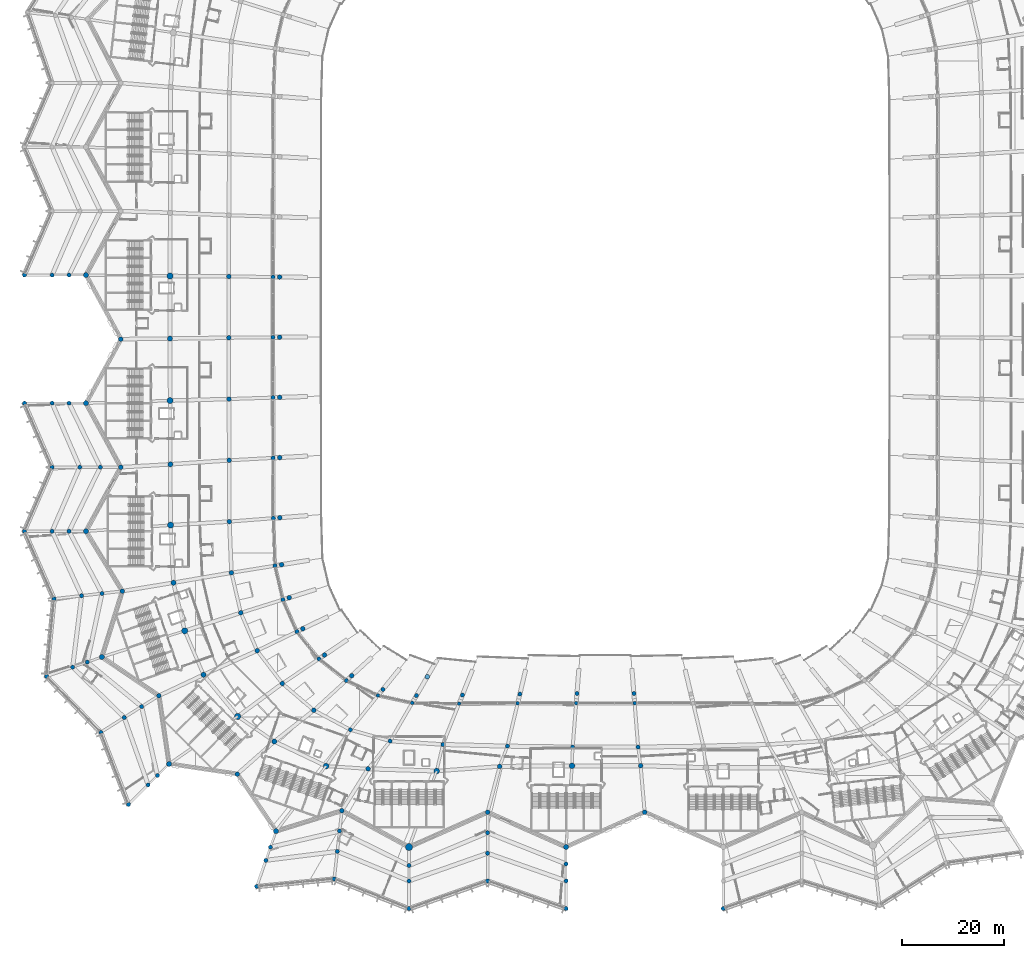
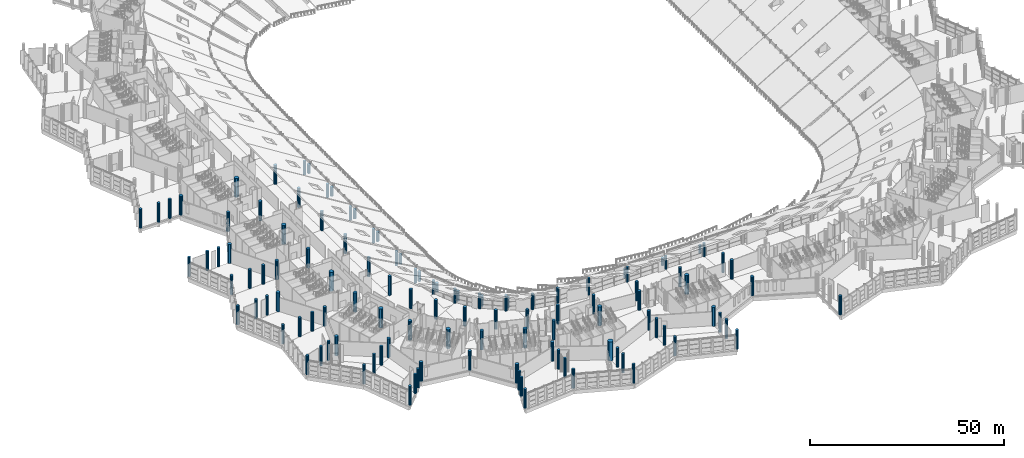
# One storey, part 1 of 249: 121 columns.
"""IFC4 building model written with IfcOpenShell, lengths in metres."""

from ifc_helpers import new_model, si_unit, direction, frame, origin, origin_2d, place, context, subcontext, project, spatial, circle, extrude, material, material_profile, profile_set, type_object, element, save


model = new_model("IFC4")

# Units and contexts
model_context = context("Model", 3, precision=1e-05, world=origin(), true_north=direction((0.0, 1.0)))
body_context = subcontext(model_context, "Body", "Model", "MODEL_VIEW")
ifc_project = project(units=[si_unit("LENGTHUNIT", "METRE"), si_unit("AREAUNIT", "SQUARE_METRE"), si_unit("VOLUMEUNIT", "CUBIC_METRE"), si_unit("PLANEANGLEUNIT", "RADIAN"), si_unit("MASSUNIT", "GRAM", prefix="KILO")], contexts=[model_context])

# Site, building, storey
site_placement = place(None, origin())
site = spatial("IfcSite", under=ifc_project, at=site_placement, CompositionType="ELEMENT")
building_placement = place(site_placement, origin())
building = spatial("IfcBuilding", under=site, at=building_placement, Name="Meseta Stadium", CompositionType="ELEMENT")
storey_placement = place(building_placement, frame((0.0, 0.0, 12.0)))
storey = spatial("IfcBuildingStorey", under=building, at=storey_placement, Name="L02", CompositionType="ELEMENT", Elevation=12.0)

# Columns
ifc_material_1 = material(Name="Concrete C40/50", Category="concrete")
ifc_material_profile_1 = material_profile(ifc_material_1, circle(Radius=0.5, at=origin_2d()), Name="RC D1000")
ifc_profile_set_1 = profile_set([ifc_material_profile_1], Name="Concrete C40/50")
column_type_1 = type_object("IfcColumnType", Name="RC column D1000", PredefinedType="COLUMN", material=ifc_profile_set_1)
for number, where, z_axis, x_axis, name in (
    (1, (-101.39990234375, 6.25, 0.0), (0.0, 0.0, 1.0), (1.0, 0.0, 0.0), "Column C10 L02 frame 32 line R"),
    (2, (-84.9970703125, -6.13720703125, 0.0), (0.0, 0.0, 1.0), (1.0, 0.0, 0.0), "Column C10 L02 frame 33 line P"),
    (3, (-101.39990234375, -18.75, 0.0), (0.0, 0.0, 1.0), (1.0, 0.0, 0.0), "Column C10 L02 frame 34 line R"),
    (4, (-84.92529296875, -30.681640625, 0.0), (0.0, 0.0, 1.0), (1.0, 0.0, 0.0), "Column C10 L02 frame 35 line P"),
    (5, (-101.39990234375, -43.75, 0.0), (0.0, 0.0, 1.0), (1.0, 0.0, 0.0), "Column C10 L02 frame 36 line R"),
    (6, (-84.3251953125, -53.801513671875, 0.0), (0.0, 0.0, 1.0), (1.0, 0.0, 0.0), "Column C10 L02 frame 37 line P"),
    (7, (-98.291015625, -68.29736328125, 0.0), (0.0, 0.0, 1.0), (1.0, 0.0, 0.0), "Column C10 L02 frame 38 line R"),
    (8, (-78.4453125, -71.756103515625, 0.0), (0.0, 0.0, 1.0), (1.0, 0.0, 0.0), "Column C10 L02 frame 39 line P"),
    (9, (-85.173828125, -89.173828125, 0.0), (0.0, 0.0, 1.0), (1.0, 0.0, 0.0), "Column C10 L02 frame 40 line R"),
    (10, (-64.6220703125, -84.79248046875, 0.0), (0.0, 0.0, 1.0), (1.0, 0.0, 0.0), "Column C10 L02 frame 41 line P"),
    (11, (-64.29736328125, -102.291015625, 0.0), (0.0, 0.0, 1.0), (1.0, 0.0, 0.0), "Column C10 L02 frame 42 line R"),
    (12, (-7.666748046875, -105.39990234375, 0.0), (0.0, 0.0, 1.0), (1.0, 0.0, 0.0), "Column C10 L02 frame 46 line R"),
):
    element("IfcColumn", number, at=place(storey_placement, frame(where, z_axis=z_axis, x_axis=x_axis)), inside=storey, type_object=column_type_1, Name=name, PredefinedType="COLUMN", context=body_context, shape_type="SweptSolid", body=[
        extrude(circle(Radius=0.5, at=origin_2d()), origin(), (0.0, 0.0, 1.0), 6.0),
    ])
ifc_material_2 = material(Name="Concrete C40/50", Category="concrete")
ifc_material_profile_2 = material_profile(ifc_material_2, circle(Radius=0.550048828125, at=origin_2d()), Name="RC D1100")
ifc_profile_set_2 = profile_set([ifc_material_profile_2], Name="Concrete C40/50")
column_type_2 = type_object("IfcColumnType", Name="RC column D1100", PredefinedType="COLUMN", material=ifc_profile_set_2)
for number, where, z_axis, x_axis, name in (
    (13, (-54.523193359375, -89.579345703125, 0.0), (0.0, 0.0, 1.0), (1.0, 0.0, 0.0), "Column C11 L02 frame 42 line P"),
    (14, (-32.944091796875, -90.551025390625, 0.0), (0.0, 0.0, 1.0), (1.0, 0.0, 0.0), "Column C11 L02 frame 44 line P"),
    (15, (-6.51708984375, -89.54638671875, 0.0), (0.0, 0.0, 1.0), (1.0, 0.0, 0.0), "Column C11 L02 frame 46 line P"),
):
    element("IfcColumn", number, at=place(storey_placement, frame(where, z_axis=z_axis, x_axis=x_axis)), inside=storey, type_object=column_type_2, Name=name, PredefinedType="COLUMN", context=body_context, shape_type="SweptSolid", body=[
        extrude(circle(Radius=0.550048828125, at=origin_2d()), origin(), (0.0, 0.0, 1.0), 6.0),
    ])
ifc_material_3 = material(Name="Concrete C40/50", Category="concrete")
ifc_material_profile_3 = material_profile(ifc_material_3, circle(Radius=0.60009765625, at=origin_2d()), Name="RC D1200")
ifc_profile_set_3 = profile_set([ifc_material_profile_3], Name="Concrete C40/50")
column_type_3 = type_object("IfcColumnType", Name="RC column D1200", PredefinedType="COLUMN", material=ifc_profile_set_3)
for number, where, z_axis, x_axis, name in (
    (16, (-84.99755859375, 6.081298828125, 0.0), (0.0, 0.0, 1.0), (1.0, 0.0, 0.0), "Column C12 L02 frame 32 line P"),
    (17, (-84.978515625, -18.24365234375, 0.0), (0.0, 0.0, 1.0), (1.0, 0.0, 0.0), "Column C12 L02 frame 34 line P"),
    (18, (-84.884033203125, -42.5615234375, 0.0), (0.0, 0.0, 1.0), (1.0, 0.0, 0.0), "Column C12 L02 frame 36 line P"),
    (19, (-82.119873046875, -63.191162109375, 0.0), (0.0, 0.0, 1.0), (1.0, 0.0, 0.0), "Column C12 L02 frame 38 line P"),
    (20, (-71.775390625, -79.888916015625, 0.0), (0.0, 0.0, 1.0), (1.0, 0.0, 0.0), "Column C12 L02 frame 40 line P"),
):
    element("IfcColumn", number, at=place(storey_placement, frame(where, z_axis=z_axis, x_axis=x_axis)), inside=storey, type_object=column_type_3, Name=name, PredefinedType="COLUMN", context=body_context, shape_type="SweptSolid", body=[
        extrude(circle(Radius=0.60009765625, at=origin_2d()), origin(), (0.0, 0.0, 1.0), 6.0),
    ])
ifc_material_4 = material(Name="Concrete C40/50", Category="concrete")
ifc_material_profile_4 = material_profile(ifc_material_4, circle(Radius=0.699951171875, at=origin_2d()), Name="RC D1400")
ifc_profile_set_4 = profile_set([ifc_material_profile_4], Name="Concrete C40/50")
column_type_4 = type_object("IfcColumnType", Name="RC column D1400", PredefinedType="COLUMN", material=ifc_profile_set_4)
column_1_placement = place(storey_placement, frame((-38.333251953125, -105.39990234375, 0.0), z_axis=(0.0, 0.0, 1.0), x_axis=(1.0, 0.0, 0.0)))
element("IfcColumn", 21, at=column_1_placement, inside=storey, type_object=column_type_4, Name="Column C14 L02 frame 44 line R", PredefinedType="COLUMN", context=body_context, shape_type="SweptSolid", body=[
    extrude(circle(Radius=0.699951171875, at=origin_2d()), origin(), (0.0, 0.0, 1.0), 6.0),
])
ifc_material_5 = material(Name="Concrete C40/50", Category="concrete")
ifc_material_profile_5 = material_profile(ifc_material_5, circle(Radius=0.35009765625, at=origin_2d()), Name="RC D700")
ifc_profile_set_5 = profile_set([ifc_material_profile_5], Name="Concrete C40/50")
column_type_5 = type_object("IfcColumnType", Name="RC column D700", PredefinedType="COLUMN", material=ifc_profile_set_5)
column_2_placement = place(storey_placement, frame((-44.39013671875, -75.806396484375, 0.0), z_axis=(0.0, 0.0, 1.0), x_axis=(1.0, 0.0, 0.0)))
element("IfcColumn", 22, at=column_2_placement, inside=storey, type_object=column_type_5, Name="Column C7 L02 frame 42 line D", PredefinedType="COLUMN", context=body_context, shape_type="SweptSolid", body=[
    extrude(circle(Radius=0.35009765625, at=origin_2d()), origin(), (0.0, 0.0, 1.0), 5.00537109375),
])
column_3_placement = place(storey_placement, frame((-37.711669921875, -77.26171875, 0.0), z_axis=(0.0, 0.0, 1.0), x_axis=(1.0, 0.0, 0.0)))
element("IfcColumn", 23, at=column_3_placement, inside=storey, type_object=column_type_5, Name="Column C7 L02 frame 43 line D", PredefinedType="COLUMN", context=body_context, shape_type="SweptSolid", body=[
    extrude(circle(Radius=0.35009765625, at=origin_2d()), origin(), (0.0, 0.0, 1.0), 5.414306640625),
])
column_4_placement = place(storey_placement, frame((-28.564697265625, -77.38330078125, 0.0), z_axis=(0.0, 0.0, 1.0), x_axis=(1.0, 0.0, 0.0)))
element("IfcColumn", 24, at=column_4_placement, inside=storey, type_object=column_type_5, Name="Column C7 L02 frame 44 line D", PredefinedType="COLUMN", context=body_context, shape_type="SweptSolid", body=[
    extrude(circle(Radius=0.35009765625, at=origin_2d()), origin(), (0.0, 0.0, 1.0), 5.293701171875),
])
column_5_placement = place(storey_placement, frame((-17.126708984375, -77.33203125, 0.0), z_axis=(0.0, 0.0, 1.0), x_axis=(1.0, 0.0, 0.0)))
element("IfcColumn", 25, at=column_5_placement, inside=storey, type_object=column_type_5, Name="Column C7 L02 frame 45 line D", PredefinedType="COLUMN", context=body_context, shape_type="SweptSolid", body=[
    extrude(circle(Radius=0.35009765625, at=origin_2d()), origin(), (0.0, 0.0, 1.0), 4.7626953125),
])
for number, where, z_axis, x_axis, name in (
    (26, (-5.70654296875, -77.3037109375, 0.0), (0.0, 0.0, 1.0), (1.0, 0.0, 0.0), "Column C7 L02 frame 46 line D"),
    (27, (5.70654296875, -77.3037109375, 0.0), (0.0, 0.0, 1.0), (1.0, 0.0, 0.0), "Column C7 L02 frame 47 line D"),
):
    element("IfcColumn", number, at=place(storey_placement, frame(where, z_axis=z_axis, x_axis=x_axis)), inside=storey, type_object=column_type_5, Name=name, PredefinedType="COLUMN", context=body_context, shape_type="SweptSolid", body=[
        extrude(circle(Radius=0.35009765625, at=origin_2d()), origin(), (0.0, 0.0, 1.0), 4.193603515625),
    ])
ifc_material_6 = material(Name="Concrete C40/50", Category="concrete")
ifc_material_profile_6 = material_profile(ifc_material_6, circle(Radius=0.39990234375, at=origin_2d()), Name="RC D800")
ifc_profile_set_6 = profile_set([ifc_material_profile_6], Name="Concrete C40/50")
column_type_6 = type_object("IfcColumnType", Name="RC column D800", PredefinedType="COLUMN", material=ifc_profile_set_6)
for number, where, z_axis, x_axis, name in (
    (28, (-64.898681640625, 5.886962890625, 0.0), (0.0, 0.0, 1.0), (1.0, 0.0, 0.0), "Column C8 L02 frame 32 line D"),
    (29, (-64.898681640625, -5.886962890625, 0.0), (0.0, 0.0, 1.0), (1.0, 0.0, 0.0), "Column C8 L02 frame 33 line D"),
):
    element("IfcColumn", number, at=place(storey_placement, frame(where, z_axis=z_axis, x_axis=x_axis)), inside=storey, type_object=column_type_6, Name=name, PredefinedType="COLUMN", context=body_context, shape_type="SweptSolid", body=[
        extrude(circle(Radius=0.39990234375, at=origin_2d()), origin(), (0.0, 0.0, 1.0), 4.24365234375),
    ])
column_6_placement = place(storey_placement, frame((-64.886962890625, -17.66064453125, 0.0), z_axis=(0.0, 0.0, 1.0), x_axis=(1.0, 0.0, 0.0)))
element("IfcColumn", 30, at=column_6_placement, inside=storey, type_object=column_type_6, Name="Column C8 L02 frame 34 line D", PredefinedType="COLUMN", context=body_context, shape_type="SweptSolid", body=[
    extrude(circle(Radius=0.39990234375, at=origin_2d()), origin(), (0.0, 0.0, 1.0), 4.32080078125),
])
column_7_placement = place(storey_placement, frame((-64.8642578125, -29.433349609375, 0.0), z_axis=(0.0, 0.0, 1.0), x_axis=(1.0, 0.0, 0.0)))
element("IfcColumn", 31, at=column_7_placement, inside=storey, type_object=column_type_6, Name="Column C8 L02 frame 35 line D", PredefinedType="COLUMN", context=body_context, shape_type="SweptSolid", body=[
    extrude(circle(Radius=0.39990234375, at=origin_2d()), origin(), (0.0, 0.0, 1.0), 4.397705078125),
])
column_8_placement = place(storey_placement, frame((-64.829833984375, -41.2041015625, 0.0), z_axis=(0.0, 0.0, 1.0), x_axis=(1.0, 0.0, 0.0)))
element("IfcColumn", 32, at=column_8_placement, inside=storey, type_object=column_type_6, Name="Column C8 L02 frame 36 line D", PredefinedType="COLUMN", context=body_context, shape_type="SweptSolid", body=[
    extrude(circle(Radius=0.39990234375, at=origin_2d()), origin(), (0.0, 0.0, 1.0), 4.474609375),
])
column_9_placement = place(storey_placement, frame((-64.501708984375, -50.479736328125, 0.0), z_axis=(0.0, 0.0, 1.0), x_axis=(1.0, 0.0, 0.0)))
element("IfcColumn", 33, at=column_9_placement, inside=storey, type_object=column_type_6, Name="Column C8 L02 frame 37 line D", PredefinedType="COLUMN", context=body_context, shape_type="SweptSolid", body=[
    extrude(circle(Radius=0.39990234375, at=origin_2d()), origin(), (0.0, 0.0, 1.0), 4.47900390625),
])
column_10_placement = place(storey_placement, frame((-62.963623046875, -57.1044921875, 0.0), z_axis=(0.0, 0.0, 1.0), x_axis=(1.0, 0.0, 0.0)))
element("IfcColumn", 34, at=column_10_placement, inside=storey, type_object=column_type_6, Name="Column C8 L02 frame 38 line D", PredefinedType="COLUMN", context=body_context, shape_type="SweptSolid", body=[
    extrude(circle(Radius=0.39990234375, at=origin_2d()), origin(), (0.0, 0.0, 1.0), 4.30517578125),
])
column_11_placement = place(storey_placement, frame((-60.22216796875, -63.33056640625, 0.0), z_axis=(0.0, 0.0, 1.0), x_axis=(1.0, 0.0, 0.0)))
element("IfcColumn", 35, at=column_11_placement, inside=storey, type_object=column_type_6, Name="Column C8 L02 frame 39 line D", PredefinedType="COLUMN", context=body_context, shape_type="SweptSolid", body=[
    extrude(circle(Radius=0.39990234375, at=origin_2d()), origin(), (0.0, 0.0, 1.0), 4.561279296875),
])
column_12_placement = place(storey_placement, frame((-55.940185546875, -68.657958984375, 0.0), z_axis=(0.0, 0.0, 1.0), x_axis=(1.0, 0.0, 0.0)))
element("IfcColumn", 36, at=column_12_placement, inside=storey, type_object=column_type_6, Name="Column C8 L02 frame 40 line D", PredefinedType="COLUMN", context=body_context, shape_type="SweptSolid", body=[
    extrude(circle(Radius=0.39990234375, at=origin_2d()), origin(), (0.0, 0.0, 1.0), 4.729248046875),
])
column_13_placement = place(storey_placement, frame((-50.571533203125, -72.888671875, 0.0), z_axis=(0.0, 0.0, 1.0), x_axis=(1.0, 0.0, 0.0)))
element("IfcColumn", 37, at=column_13_placement, inside=storey, type_object=column_type_6, Name="Column C8 L02 frame 41 line D", PredefinedType="COLUMN", context=body_context, shape_type="SweptSolid", body=[
    extrude(circle(Radius=0.39990234375, at=origin_2d()), origin(), (0.0, 0.0, 1.0), 4.888671875),
])
column_14_placement = place(storey_placement, frame((-43.430419921875, -74.617431640625, 0.0), z_axis=(0.0, 0.0, 1.0), x_axis=(1.0, 0.0, 0.0)))
element("IfcColumn", 38, at=column_14_placement, inside=storey, type_object=column_type_6, Name="Column C8 L02 frame 42 line C", PredefinedType="COLUMN", context=body_context, shape_type="SweptSolid", body=[
    extrude(circle(Radius=0.39990234375, at=origin_2d()), origin(), (0.0, 0.0, 1.0), 3.435791015625),
])
column_15_placement = place(storey_placement, frame((-49.791259765625, -82.498779296875, 0.0), z_axis=(0.0, 0.0, 1.0), x_axis=(1.0, 0.0, 0.0)))
element("IfcColumn", 39, at=column_15_placement, inside=storey, type_object=column_type_6, Name="Column C8 L02 frame 42 line E", PredefinedType="COLUMN", context=body_context, shape_type="SweptSolid", body=[
    extrude(circle(Radius=0.39990234375, at=origin_2d()), origin(), (0.0, 0.0, 1.0), 6.0),
])
column_16_placement = place(storey_placement, frame((-36.8857421875, -75.8330078125, 0.0), z_axis=(0.0, 0.0, 1.0), x_axis=(1.0, 0.0, 0.0)))
element("IfcColumn", 40, at=column_16_placement, inside=storey, type_object=column_type_6, Name="Column C8 L02 frame 43 line C", PredefinedType="COLUMN", context=body_context, shape_type="SweptSolid", body=[
    extrude(circle(Radius=0.39990234375, at=origin_2d()), origin(), (0.0, 0.0, 1.0), 3.76806640625),
])
column_17_placement = place(storey_placement, frame((-42.015625, -84.707275390625, 0.0), z_axis=(0.0, 0.0, 1.0), x_axis=(1.0, 0.0, 0.0)))
element("IfcColumn", 41, at=column_17_placement, inside=storey, type_object=column_type_6, Name="Column C8 L02 frame 43 line E", PredefinedType="COLUMN", context=body_context, shape_type="SweptSolid", body=[
    extrude(circle(Radius=0.39990234375, at=origin_2d()), origin(), (0.0, 0.0, 1.0), 6.0),
])
column_18_placement = place(storey_placement, frame((-27.910888671875, -75.735595703125, 0.0), z_axis=(0.0, 0.0, 1.0), x_axis=(1.0, 0.0, 0.0)))
element("IfcColumn", 42, at=column_18_placement, inside=storey, type_object=column_type_6, Name="Column C8 L02 frame 44 line C", PredefinedType="COLUMN", context=body_context, shape_type="SweptSolid", body=[
    extrude(circle(Radius=0.39990234375, at=origin_2d()), origin(), (0.0, 0.0, 1.0), 3.5712890625),
])
column_19_placement = place(storey_placement, frame((-31.73681640625, -85.376708984375, 0.0), z_axis=(0.0, 0.0, 1.0), x_axis=(1.0, 0.0, 0.0)))
element("IfcColumn", 43, at=column_19_placement, inside=storey, type_object=column_type_6, Name="Column C8 L02 frame 44 line E", PredefinedType="COLUMN", context=body_context, shape_type="SweptSolid", body=[
    extrude(circle(Radius=0.39990234375, at=origin_2d()), origin(), (0.0, 0.0, 1.0), 6.0),
])
column_20_placement = place(storey_placement, frame((-16.697509765625, -75.529541015625, 0.0), z_axis=(0.0, 0.0, 1.0), x_axis=(1.0, 0.0, 0.0)))
element("IfcColumn", 44, at=column_20_placement, inside=storey, type_object=column_type_6, Name="Column C8 L02 frame 45 line C", PredefinedType="COLUMN", context=body_context, shape_type="SweptSolid", body=[
    extrude(circle(Radius=0.39990234375, at=origin_2d()), origin(), (0.0, 0.0, 1.0), 2.990478515625),
])
column_21_placement = place(storey_placement, frame((-19.11865234375, -85.6982421875, 0.0), z_axis=(0.0, 0.0, 1.0), x_axis=(1.0, 0.0, 0.0)))
element("IfcColumn", 45, at=column_21_placement, inside=storey, type_object=column_type_6, Name="Column C8 L02 frame 45 line E", PredefinedType="COLUMN", context=body_context, shape_type="SweptSolid", body=[
    extrude(circle(Radius=0.39990234375, at=origin_2d()), origin(), (0.0, 0.0, 1.0), 6.0),
])
column_22_placement = place(storey_placement, frame((-5.556640625, -75.4150390625, 0.0), z_axis=(0.0, 0.0, 1.0), x_axis=(1.0, 0.0, 0.0)))
element("IfcColumn", 46, at=column_22_placement, inside=storey, type_object=column_type_6, Name="Column C8 L02 frame 46 line C", PredefinedType="COLUMN", context=body_context, shape_type="SweptSolid", body=[
    extrude(circle(Radius=0.39990234375, at=origin_2d()), origin(), (0.0, 0.0, 1.0), 2.395751953125),
])
column_23_placement = place(storey_placement, frame((-6.386962890625, -85.876708984375, 0.0), z_axis=(0.0, 0.0, 1.0), x_axis=(1.0, 0.0, 0.0)))
element("IfcColumn", 47, at=column_23_placement, inside=storey, type_object=column_type_6, Name="Column C8 L02 frame 46 line E", PredefinedType="COLUMN", context=body_context, shape_type="SweptSolid", body=[
    extrude(circle(Radius=0.39990234375, at=origin_2d()), origin(), (0.0, 0.0, 1.0), 6.0),
])
column_24_placement = place(storey_placement, frame((5.556640625, -75.4150390625, 0.0), z_axis=(0.0, 0.0, 1.0), x_axis=(1.0, 0.0, 0.0)))
element("IfcColumn", 48, at=column_24_placement, inside=storey, type_object=column_type_6, Name="Column C8 L02 frame 47 line C", PredefinedType="COLUMN", context=body_context, shape_type="SweptSolid", body=[
    extrude(circle(Radius=0.39990234375, at=origin_2d()), origin(), (0.0, 0.0, 1.0), 2.395751953125),
])
for number, where, z_axis, x_axis, name in (
    (49, (6.386962890625, -85.876708984375, 0.0), (0.0, 0.0, 1.0), (1.0, 0.0, 0.0), "Column C8 L02 frame 47 line E"),
    (50, (-104.699951171875, 6.25, 0.0), (0.0, 0.0, 1.0), (1.0, 0.0, 0.0), "Ring column C8 L02 frame 32 line M"),
    (51, (-108.0, 6.25, 0.0), (0.0, 0.0, 1.0), (1.0, 0.0, 0.0), "Ring column C8 L02 frame 32 line Q"),
    (52, (-113.39990234375, 6.25, 0.0), (0.0, 0.0, 1.0), (1.0, 0.0, 0.0), "Ring column C8 L02 frame 32 line O"),
    (53, (-104.699951171875, -18.75, 0.0), (0.0, 0.0, 1.0), (1.0, 0.0, 0.0), "Ring column C8 L02 frame 34 line M"),
    (54, (-108.0, -18.75, 0.0), (0.0, 0.0, 1.0), (1.0, 0.0, 0.0), "Ring column C8 L02 frame 34 line Q"),
    (55, (-113.39990234375, -18.75, 0.0), (0.0, 0.0, 1.0), (1.0, 0.0, 0.0), "Ring column C8 L02 frame 34 line O"),
    (56, (-98.60009765625, -31.25, 0.0), (0.0, 0.0, 1.0), (1.0, 0.0, 0.0), "Ring column C8 L02 frame 35 line M"),
    (57, (-102.60009765625, -31.25, 0.0), (0.0, 0.0, 1.0), (1.0, 0.0, 0.0), "Ring column C8 L02 frame 35 line Q"),
    (58, (-108.0, -31.25, 0.0), (0.0, 0.0, 1.0), (1.0, 0.0, 0.0), "Ring column C8 L02 frame 35 line O"),
    (59, (-104.699951171875, -43.75, 0.0), (0.0, 0.0, 1.0), (1.0, 0.0, 0.0), "Ring column C8 L02 frame 36 line M"),
    (60, (-108.0, -43.75, 0.0), (0.0, 0.0, 1.0), (1.0, 0.0, 0.0), "Ring column C8 L02 frame 36 line Q"),
    (61, (-113.39990234375, -43.75, 0.0), (0.0, 0.0, 1.0), (1.0, 0.0, 0.0), "Ring column C8 L02 frame 36 line O"),
    (62, (-98.269287109375, -55.889404296875, 0.0), (0.0, 0.0, 1.0), (1.0, 0.0, 0.0), "Ring column C8 L02 frame 37 line M"),
    (63, (-102.244140625, -56.337158203125, 0.0), (0.0, 0.0, 1.0), (1.0, 0.0, 0.0), "Ring column C8 L02 frame 37 line Q"),
    (64, (-107.610107421875, -56.94189453125, 0.0), (0.0, 0.0, 1.0), (1.0, 0.0, 0.0), "Ring column C8 L02 frame 37 line O"),
    (65, (-101.140380859375, -69.29443359375, 0.0), (0.0, 0.0, 1.0), (1.0, 0.0, 0.0), "Ring column C8 L02 frame 38 line M"),
    (66, (-103.989990234375, -70.29150390625, 0.0), (0.0, 0.0, 1.0), (1.0, 0.0, 0.0), "Ring column C8 L02 frame 38 line Q"),
    (67, (-109.0869140625, -72.0751953125, 0.0), (0.0, 0.0, 1.0), (1.0, 0.0, 0.0), "Ring column C8 L02 frame 38 line O"),
    (68, (-90.53759765625, -77.98486328125, 0.0), (0.0, 0.0, 1.0), (1.0, 0.0, 0.0), "Ring column C8 L02 frame 39 line M"),
    (69, (-93.924560546875, -80.113037109375, 0.0), (0.0, 0.0, 1.0), (1.0, 0.0, 0.0), "Ring column C8 L02 frame 39 line Q"),
    (70, (-98.496826171875, -82.986083984375, 0.0), (0.0, 0.0, 1.0), (1.0, 0.0, 0.0), "Ring column C8 L02 frame 39 line O"),
    (71, (-87.426513671875, -91.426513671875, 0.0), (0.0, 0.0, 1.0), (1.0, 0.0, 0.0), "Ring column C8 L02 frame 40 line M"),
    (72, (-89.2548828125, -93.2548828125, 0.0), (0.0, 0.0, 1.0), (1.0, 0.0, 0.0), "Ring column C8 L02 frame 40 line Q"),
    (73, (-93.0732421875, -97.0732421875, 0.0), (0.0, 0.0, 1.0), (1.0, 0.0, 0.0), "Ring column C8 L02 frame 40 line O"),
    (74, (-65.3935546875, -105.423583984375, 0.0), (0.0, 0.0, 1.0), (1.0, 0.0, 0.0), "Ring column C8 L02 frame 42 line M"),
    (75, (-66.29150390625, -107.989990234375, 0.0), (0.0, 0.0, 1.0), (1.0, 0.0, 0.0), "Ring column C8 L02 frame 42 line Q"),
    (76, (-68.0751953125, -113.0869140625, 0.0), (0.0, 0.0, 1.0), (1.0, 0.0, 0.0), "Ring column C8 L02 frame 42 line O"),
    (77, (-51.889404296875, -102.269287109375, 0.0), (0.0, 0.0, 1.0), (1.0, 0.0, 0.0), "Ring column C8 L02 frame 43 line M"),
    (78, (-52.337158203125, -106.244140625, 0.0), (0.0, 0.0, 1.0), (1.0, 0.0, 0.0), "Ring column C8 L02 frame 43 line Q"),
    (79, (-52.94189453125, -111.610107421875, 0.0), (0.0, 0.0, 1.0), (1.0, 0.0, 0.0), "Ring column C8 L02 frame 43 line O"),
    (80, (-38.333251953125, -109.0, 0.0), (0.0, 0.0, 1.0), (1.0, 0.0, 0.0), "Ring column C8 L02 frame 44 line M"),
    (81, (-38.333251953125, -112.0, 0.0), (0.0, 0.0, 1.0), (1.0, 0.0, 0.0), "Ring column C8 L02 frame 44 line Q"),
    (82, (-38.333251953125, -117.39990234375, 0.0), (0.0, 0.0, 1.0), (1.0, 0.0, 0.0), "Ring column C8 L02 frame 44 line O"),
    (83, (-23.0, -102.60009765625, 0.0), (0.0, 0.0, 1.0), (1.0, 0.0, 0.0), "Ring column C8 L02 frame 45 line M"),
    (84, (-23.0, -106.60009765625, 0.0), (0.0, 0.0, 1.0), (1.0, 0.0, 0.0), "Ring column C8 L02 frame 45 line Q"),
    (85, (-23.0, -112.0, 0.0), (0.0, 0.0, 1.0), (1.0, 0.0, 0.0), "Ring column C8 L02 frame 45 line O"),
    (86, (-7.666748046875, -108.699951171875, 0.0), (0.0, 0.0, 1.0), (1.0, 0.0, 0.0), "Ring column C8 L02 frame 46 line M"),
    (87, (-7.666748046875, -112.0, 0.0), (0.0, 0.0, 1.0), (1.0, 0.0, 0.0), "Ring column C8 L02 frame 46 line Q"),
    (88, (-7.666748046875, -117.39990234375, 0.0), (0.0, 0.0, 1.0), (1.0, 0.0, 0.0), "Ring column C8 L02 frame 46 line O"),
    (89, (23.0, -117.39990234375, 0.0), (0.0, 0.0, 1.0), (1.0, 0.0, 0.0), "Ring column C8 L02 frame 48 line O"),
):
    element("IfcColumn", number, at=place(storey_placement, frame(where, z_axis=z_axis, x_axis=x_axis)), inside=storey, type_object=column_type_6, Name=name, PredefinedType="COLUMN", context=body_context, shape_type="SweptSolid", body=[
        extrude(circle(Radius=0.39990234375, at=origin_2d()), origin(), (0.0, 0.0, 1.0), 6.0),
    ])
ifc_material_7 = material(Name="Concrete C40/50", Category="concrete")
ifc_material_profile_7 = material_profile(ifc_material_7, circle(Radius=0.449951171875, at=origin_2d()), Name="RC D900")
ifc_profile_set_7 = profile_set([ifc_material_profile_7], Name="Concrete C40/50")
column_type_7 = type_object("IfcColumnType", Name="RC column D900", PredefinedType="COLUMN", material=ifc_profile_set_7)
column_25_placement = place(storey_placement, frame((-63.5986328125, 5.872802734375, 0.0), z_axis=(0.0, 0.0, 1.0), x_axis=(1.0, 0.0, 0.0)))
element("IfcColumn", 90, at=column_25_placement, inside=storey, type_object=column_type_7, Name="Column C9 L02 frame 32 line C", PredefinedType="COLUMN", context=body_context, shape_type="SweptSolid", body=[
    extrude(circle(Radius=0.449951171875, at=origin_2d()), origin(), (0.0, 0.0, 1.0), 2.81396484375),
])
column_26_placement = place(storey_placement, frame((-73.498046875, 5.9814453125, 0.0), z_axis=(0.0, 0.0, 1.0), x_axis=(1.0, 0.0, 0.0)))
element("IfcColumn", 91, at=column_26_placement, inside=storey, type_object=column_type_7, Name="Column C9 L02 frame 32 line E", PredefinedType="COLUMN", context=body_context, shape_type="SweptSolid", body=[
    extrude(circle(Radius=0.449951171875, at=origin_2d()), origin(), (0.0, 0.0, 1.0), 6.0),
])
column_27_placement = place(storey_placement, frame((-63.5986328125, -5.872802734375, 0.0), z_axis=(0.0, 0.0, 1.0), x_axis=(1.0, 0.0, 0.0)))
element("IfcColumn", 92, at=column_27_placement, inside=storey, type_object=column_type_7, Name="Column C9 L02 frame 33 line C", PredefinedType="COLUMN", context=body_context, shape_type="SweptSolid", body=[
    extrude(circle(Radius=0.449951171875, at=origin_2d()), origin(), (0.0, 0.0, 1.0), 2.81396484375),
])
for number, where, z_axis, x_axis, name in (
    (93, (-73.498046875, -5.9814453125, 0.0), (0.0, 0.0, 1.0), (1.0, 0.0, 0.0), "Column C9 L02 frame 33 line E"),
    (94, (-94.60009765625, -6.25, 0.0), (0.0, 0.0, 1.0), (1.0, 0.0, 0.0), "Column C9 L02 frame 33 line R"),
):
    element("IfcColumn", number, at=place(storey_placement, frame(where, z_axis=z_axis, x_axis=x_axis)), inside=storey, type_object=column_type_7, Name=name, PredefinedType="COLUMN", context=body_context, shape_type="SweptSolid", body=[
        extrude(circle(Radius=0.449951171875, at=origin_2d()), origin(), (0.0, 0.0, 1.0), 6.0),
    ])
column_28_placement = place(storey_placement, frame((-63.587890625, -17.617919921875, 0.0), z_axis=(0.0, 0.0, 1.0), x_axis=(1.0, 0.0, 0.0)))
element("IfcColumn", 95, at=column_28_placement, inside=storey, type_object=column_type_7, Name="Column C9 L02 frame 34 line C", PredefinedType="COLUMN", context=body_context, shape_type="SweptSolid", body=[
    extrude(circle(Radius=0.449951171875, at=origin_2d()), origin(), (0.0, 0.0, 1.0), 2.89111328125),
])
column_29_placement = place(storey_placement, frame((-73.482421875, -17.943603515625, 0.0), z_axis=(0.0, 0.0, 1.0), x_axis=(1.0, 0.0, 0.0)))
element("IfcColumn", 96, at=column_29_placement, inside=storey, type_object=column_type_7, Name="Column C9 L02 frame 34 line E", PredefinedType="COLUMN", context=body_context, shape_type="SweptSolid", body=[
    extrude(circle(Radius=0.449951171875, at=origin_2d()), origin(), (0.0, 0.0, 1.0), 6.0),
])
column_30_placement = place(storey_placement, frame((-63.566162109375, -29.362060546875, 0.0), z_axis=(0.0, 0.0, 1.0), x_axis=(1.0, 0.0, 0.0)))
element("IfcColumn", 97, at=column_30_placement, inside=storey, type_object=column_type_7, Name="Column C9 L02 frame 35 line C", PredefinedType="COLUMN", context=body_context, shape_type="SweptSolid", body=[
    extrude(circle(Radius=0.449951171875, at=origin_2d()), origin(), (0.0, 0.0, 1.0), 2.968017578125),
])
for number, where, z_axis, x_axis, name in (
    (98, (-73.451171875, -29.904052734375, 0.0), (0.0, 0.0, 1.0), (1.0, 0.0, 0.0), "Column C9 L02 frame 35 line E"),
    (99, (-94.60009765625, -31.25, 0.0), (0.0, 0.0, 1.0), (1.0, 0.0, 0.0), "Column C9 L02 frame 35 line R"),
):
    element("IfcColumn", number, at=place(storey_placement, frame(where, z_axis=z_axis, x_axis=x_axis)), inside=storey, type_object=column_type_7, Name=name, PredefinedType="COLUMN", context=body_context, shape_type="SweptSolid", body=[
        extrude(circle(Radius=0.449951171875, at=origin_2d()), origin(), (0.0, 0.0, 1.0), 6.0),
    ])
column_31_placement = place(storey_placement, frame((-63.53369140625, -41.1044921875, 0.0), z_axis=(0.0, 0.0, 1.0), x_axis=(1.0, 0.0, 0.0)))
element("IfcColumn", 100, at=column_31_placement, inside=storey, type_object=column_type_7, Name="Column C9 L02 frame 36 line C", PredefinedType="COLUMN", context=body_context, shape_type="SweptSolid", body=[
    extrude(circle(Radius=0.449951171875, at=origin_2d()), origin(), (0.0, 0.0, 1.0), 3.044677734375),
])
column_32_placement = place(storey_placement, frame((-73.40478515625, -41.8623046875, 0.0), z_axis=(0.0, 0.0, 1.0), x_axis=(1.0, 0.0, 0.0)))
element("IfcColumn", 101, at=column_32_placement, inside=storey, type_object=column_type_7, Name="Column C9 L02 frame 36 line E", PredefinedType="COLUMN", context=body_context, shape_type="SweptSolid", body=[
    extrude(circle(Radius=0.449951171875, at=origin_2d()), origin(), (0.0, 0.0, 1.0), 6.0),
])
column_33_placement = place(storey_placement, frame((-63.21826171875, -50.27294921875, 0.0), z_axis=(0.0, 0.0, 1.0), x_axis=(1.0, 0.0, 0.0)))
element("IfcColumn", 102, at=column_33_placement, inside=storey, type_object=column_type_7, Name="Column C9 L02 frame 37 line C", PredefinedType="COLUMN", context=body_context, shape_type="SweptSolid", body=[
    extrude(circle(Radius=0.449951171875, at=origin_2d()), origin(), (0.0, 0.0, 1.0), 3.0498046875),
])
for number, where, z_axis, x_axis, name in (
    (103, (-72.9921875, -51.84716796875, 0.0), (0.0, 0.0, 1.0), (1.0, 0.0, 0.0), "Column C9 L02 frame 37 line E"),
    (104, (-94.29443359375, -55.44140625, 0.0), (0.0, 0.0, 1.0), (1.0, 0.0, 0.0), "Column C9 L02 frame 37 line R"),
):
    element("IfcColumn", number, at=place(storey_placement, frame(where, z_axis=z_axis, x_axis=x_axis)), inside=storey, type_object=column_type_7, Name=name, PredefinedType="COLUMN", context=body_context, shape_type="SweptSolid", body=[
        extrude(circle(Radius=0.449951171875, at=origin_2d()), origin(), (0.0, 0.0, 1.0), 6.0),
    ])
column_34_placement = place(storey_placement, frame((-61.72314453125, -56.715576171875, 0.0), z_axis=(0.0, 0.0, 1.0), x_axis=(1.0, 0.0, 0.0)))
element("IfcColumn", 105, at=column_34_placement, inside=storey, type_object=column_type_7, Name="Column C9 L02 frame 38 line C", PredefinedType="COLUMN", context=body_context, shape_type="SweptSolid", body=[
    extrude(circle(Radius=0.449951171875, at=origin_2d()), origin(), (0.0, 0.0, 1.0), 2.877197265625),
])
column_35_placement = place(storey_placement, frame((-71.169677734375, -59.67724609375, 0.0), z_axis=(0.0, 0.0, 1.0), x_axis=(1.0, 0.0, 0.0)))
element("IfcColumn", 106, at=column_35_placement, inside=storey, type_object=column_type_7, Name="Column C9 L02 frame 38 line E", PredefinedType="COLUMN", context=body_context, shape_type="SweptSolid", body=[
    extrude(circle(Radius=0.449951171875, at=origin_2d()), origin(), (0.0, 0.0, 1.0), 6.0),
])
column_36_placement = place(storey_placement, frame((-59.049072265625, -62.766357421875, 0.0), z_axis=(0.0, 0.0, 1.0), x_axis=(1.0, 0.0, 0.0)))
element("IfcColumn", 107, at=column_36_placement, inside=storey, type_object=column_type_7, Name="Column C9 L02 frame 39 line C", PredefinedType="COLUMN", context=body_context, shape_type="SweptSolid", body=[
    extrude(circle(Radius=0.449951171875, at=origin_2d()), origin(), (0.0, 0.0, 1.0), 3.13232421875),
])
for number, where, z_axis, x_axis, name in (
    (108, (-67.972412109375, -67.057861328125, 0.0), (0.0, 0.0, 1.0), (1.0, 0.0, 0.0), "Column C9 L02 frame 39 line E"),
    (109, (-87.15087890625, -75.856689453125, 0.0), (0.0, 0.0, 1.0), (1.0, 0.0, 0.0), "Column C9 L02 frame 39 line R"),
):
    element("IfcColumn", number, at=place(storey_placement, frame(where, z_axis=z_axis, x_axis=x_axis)), inside=storey, type_object=column_type_7, Name=name, PredefinedType="COLUMN", context=body_context, shape_type="SweptSolid", body=[
        extrude(circle(Radius=0.449951171875, at=origin_2d()), origin(), (0.0, 0.0, 1.0), 6.0),
    ])
column_37_placement = place(storey_placement, frame((-54.819580078125, -67.901611328125, 0.0), z_axis=(0.0, 0.0, 1.0), x_axis=(1.0, 0.0, 0.0)))
element("IfcColumn", 110, at=column_37_placement, inside=storey, type_object=column_type_7, Name="Column C9 L02 frame 40 line C", PredefinedType="COLUMN", context=body_context, shape_type="SweptSolid", body=[
    extrude(circle(Radius=0.449951171875, at=origin_2d()), origin(), (0.0, 0.0, 1.0), 3.268798828125),
])
column_38_placement = place(storey_placement, frame((-63.068115234375, -73.469970703125, 0.0), z_axis=(0.0, 0.0, 1.0), x_axis=(1.0, 0.0, 0.0)))
element("IfcColumn", 111, at=column_38_placement, inside=storey, type_object=column_type_7, Name="Column C9 L02 frame 40 line E", PredefinedType="COLUMN", context=body_context, shape_type="SweptSolid", body=[
    extrude(circle(Radius=0.449951171875, at=origin_2d()), origin(), (0.0, 0.0, 1.0), 6.0),
])
column_39_placement = place(storey_placement, frame((-49.518310546875, -71.924560546875, 0.0), z_axis=(0.0, 0.0, 1.0), x_axis=(1.0, 0.0, 0.0)))
element("IfcColumn", 112, at=column_39_placement, inside=storey, type_object=column_type_7, Name="Column C9 L02 frame 41 line C", PredefinedType="COLUMN", context=body_context, shape_type="SweptSolid", body=[
    extrude(circle(Radius=0.449951171875, at=origin_2d()), origin(), (0.0, 0.0, 1.0), 3.381103515625),
])
for number, where, z_axis, x_axis, name in (
    (113, (-56.9150390625, -78.69580078125, 0.0), (0.0, 0.0, 1.0), (1.0, 0.0, 0.0), "Column C9 L02 frame 41 line E"),
    (114, (-71.856689453125, -91.15087890625, 0.0), (0.0, 0.0, 1.0), (1.0, 0.0, 0.0), "Column C9 L02 frame 41 line R"),
):
    element("IfcColumn", number, at=place(storey_placement, frame(where, z_axis=z_axis, x_axis=x_axis)), inside=storey, type_object=column_type_7, Name=name, PredefinedType="COLUMN", context=body_context, shape_type="SweptSolid", body=[
        extrude(circle(Radius=0.449951171875, at=origin_2d()), origin(), (0.0, 0.0, 1.0), 6.0),
    ])
column_40_placement = place(storey_placement, frame((-34.7607421875, -72.15625, 0.0), z_axis=(0.0, 0.0, 1.0), x_axis=(1.0, 0.0, 0.0)))
element("IfcColumn", 115, at=column_40_placement, inside=storey, type_object=column_type_7, Name="Column C9 L02 frame 43 line U", PredefinedType="COLUMN", context=body_context, shape_type="SweptSolid", body=[
    extrude(circle(Radius=0.449951171875, at=origin_2d()), origin(), (0.0, 0.0, 1.0), 1.151611328125),
])
for number, where, z_axis, x_axis, name in (
    (116, (-46.333251953125, -90.126220703125, 0.0), (0.0, 0.0, 1.0), (1.0, 0.0, 0.0), "Column C9 L02 frame 43 line P"),
    (117, (-51.44140625, -98.29443359375, 0.0), (0.0, 0.0, 1.0), (1.0, 0.0, 0.0), "Column C9 L02 frame 43 line R"),
    (118, (-20.649658203125, -89.65625, 0.0), (0.0, 0.0, 1.0), (1.0, 0.0, 0.0), "Column C9 L02 frame 45 line P"),
    (119, (-23.0, -98.60009765625, 0.0), (0.0, 0.0, 1.0), (1.0, 0.0, 0.0), "Column C9 L02 frame 45 line R"),
    (120, (6.870849609375, -89.517822265625, 0.0), (0.0, 0.0, 1.0), (1.0, 0.0, 0.0), "Column C9 L02 frame 47 line P"),
    (121, (7.666748046875, -98.60009765625, 0.0), (0.0, 0.0, 1.0), (1.0, 0.0, 0.0), "Column C9 L02 frame 47 line R"),
):
    element("IfcColumn", number, at=place(storey_placement, frame(where, z_axis=z_axis, x_axis=x_axis)), inside=storey, type_object=column_type_7, Name=name, PredefinedType="COLUMN", context=body_context, shape_type="SweptSolid", body=[
        extrude(circle(Radius=0.449951171875, at=origin_2d()), origin(), (0.0, 0.0, 1.0), 6.0),
    ])

save(model, "model.ifc")
